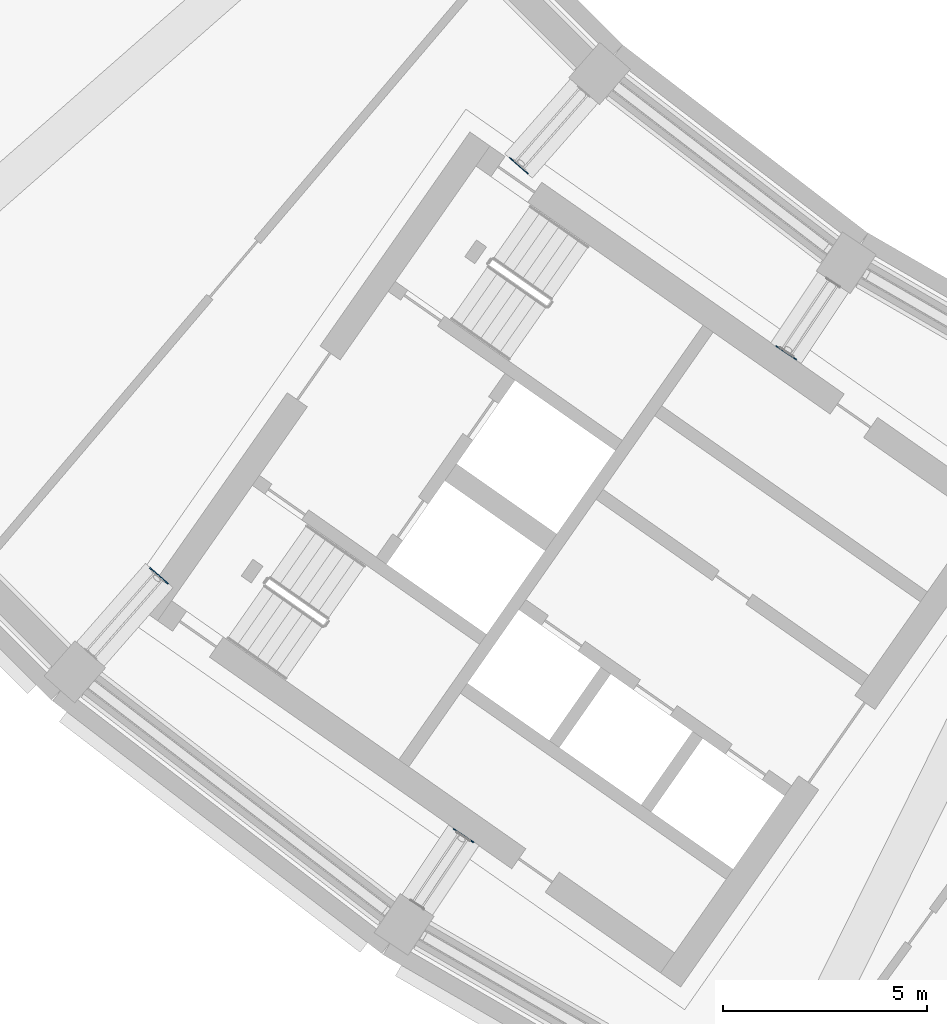
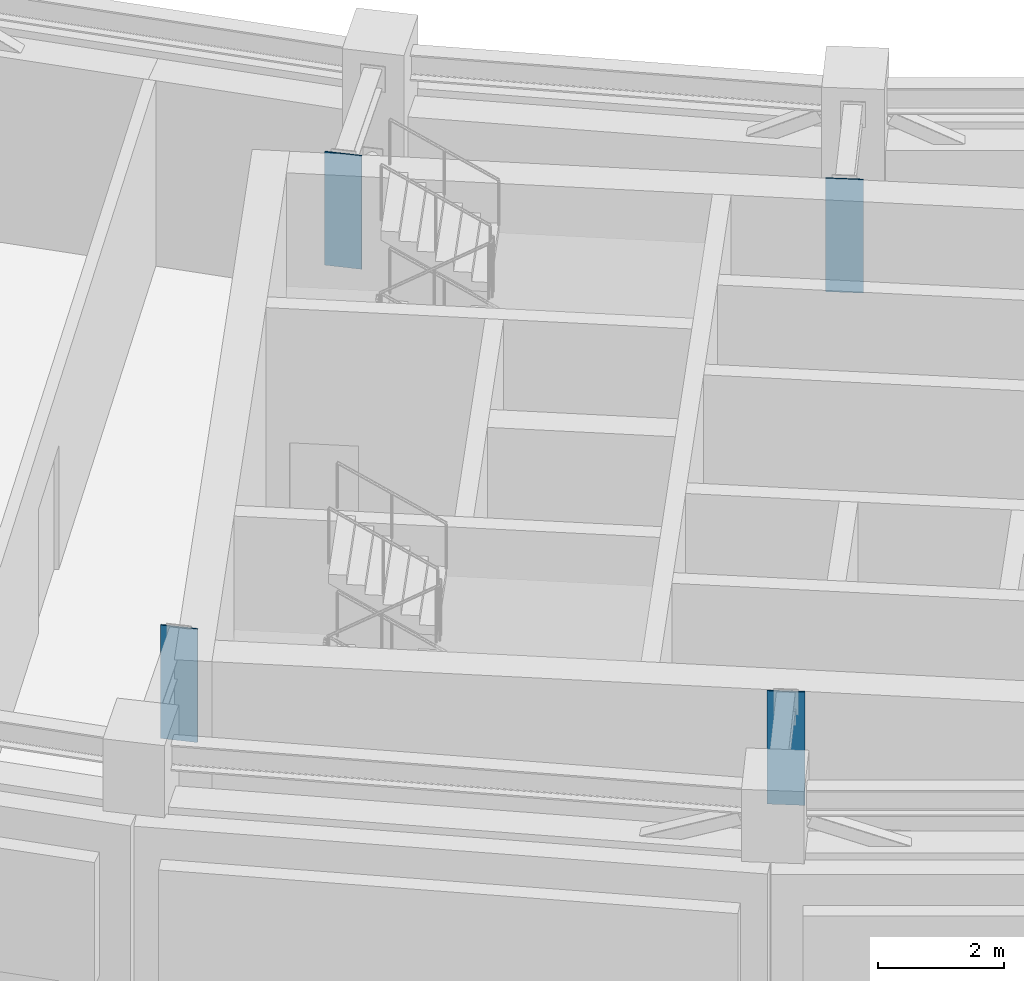
# One storey, part 9 of 24: 4 discrete accessories.
"""IFC4 building model written with IfcOpenShell, lengths in metres."""

from ifc_helpers import new_model, si_unit, direction, frame, origin, origin_2d, place, context, subcontext, project, spatial, rectangle, extrude, material, layer, layer_set, type_object, element, save


model = new_model("IFC4")

# Units and contexts
model_context = context("Model", 3, precision=1e-05, world=origin(), true_north=direction((0.0, 1.0)))
body_context = subcontext(model_context, "Body", "Model", "MODEL_VIEW")
ifc_project = project(units=[si_unit("LENGTHUNIT", "METRE"), si_unit("AREAUNIT", "SQUARE_METRE"), si_unit("VOLUMEUNIT", "CUBIC_METRE"), si_unit("PLANEANGLEUNIT", "RADIAN"), si_unit("MASSUNIT", "GRAM", prefix="KILO")], contexts=[model_context])

# Site, building, storey
site_placement = place(None, origin())
site = spatial("IfcSite", under=ifc_project, at=site_placement, CompositionType="ELEMENT")
building_placement = place(site_placement, origin())
building = spatial("IfcBuilding", under=site, at=building_placement, Name="Qamariyya Broadcast Tower", CompositionType="ELEMENT")
storey_placement = place(building_placement, frame((0.0, 0.0, 253.10009765625)))
storey = spatial("IfcBuildingStorey", under=building, at=storey_placement, Name="L61", CompositionType="ELEMENT", Elevation=253.10009765625)

# Discrete accessories
ifc_material = material(Name="Steel S355", Category="steel")
ifc_layer = layer(ifc_material, 0.02490234375)
ifc_layer_set = layer_set([ifc_layer], Name="Cast-in plate 25 Steel S355")
discrete_accessory_type = type_object("IfcDiscreteAccessoryType", Name="Cast-in plate 25 Steel S355", PredefinedType="ANCHORPLATE", material=ifc_layer_set)
for number, where, z_axis, x_axis, name in (
    (1, (-40.385986328125, -46.051513671875, 2.5), (0.0, 0.0, 1.0), (-0.751839807479, 0.6593458151, 0.0), "Cast-in plate CP1 L61 R05"),
    (2, (-49.20263671875, -56.10498046875, 2.5), (0.0, 0.0, 1.0), (-0.751839807479, 0.6593458151, 0.0), "Cast-in plate CP1 L61 R05"),
    (3, (-33.83544921875, -50.63818359375, 2.5), (0.0, 0.0, 1.0), (-0.831469612303, 0.55557023302, 0.0), "Cast-in plate CP1 L61 R06"),
    (4, (-41.740234375, -62.468505859375, 2.5), (0.0, 0.0, 1.0), (-0.831469612303, 0.55557023302, 0.0), "Cast-in plate CP1 L61 R06"),
):
    element("IfcDiscreteAccessory", number, at=place(storey_placement, frame(where, z_axis=z_axis, x_axis=x_axis)), inside=storey, type_object=discrete_accessory_type, Name=name, PredefinedType="ANCHORPLATE", context=body_context, shape_type="SweptSolid", body=[
        extrude(rectangle(XDim=0.60009765625, YDim=0.02490234375, at=origin_2d()), origin(), (0.0, 0.0, 1.0), 2.199951171875),
    ])

save(model, "model.ifc")
